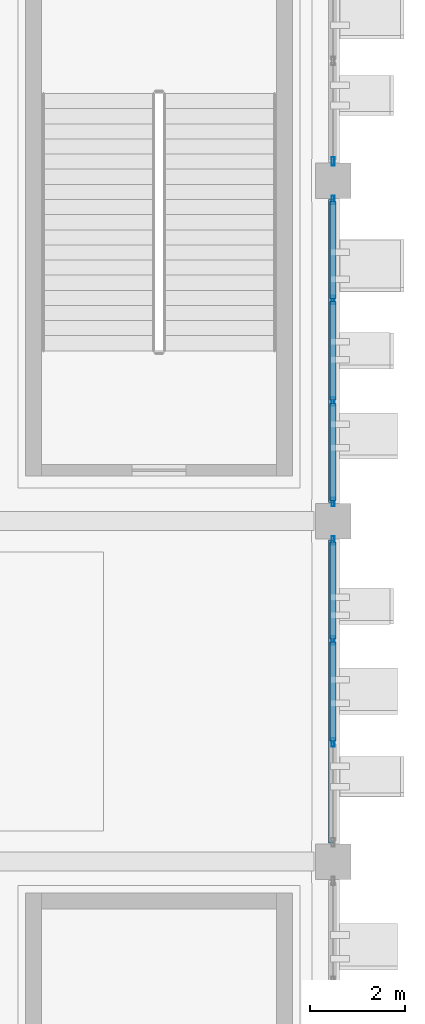
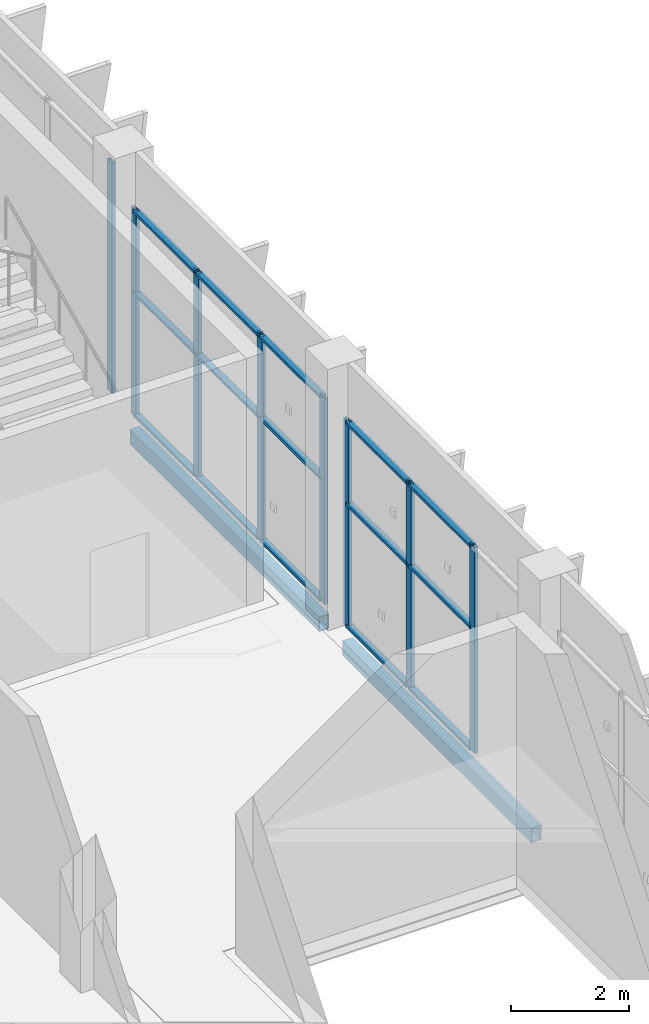
# One storey, part 65 of 189: 23 members, 2 beams, 3 elements without a shape of their own.
"""IFC4 building model written with IfcOpenShell, lengths in metres."""

from ifc_helpers import new_model, si_unit, direction, frame, origin, origin_2d, place, context, subcontext, project, spatial, hollow_rectangle, extrude, material, layer, layer_set, material_profile, profile_set, type_object, element, aggregate, save


model = new_model("IFC4")

# Units and contexts
model_context = context("Model", 3, precision=1e-05, world=origin(), true_north=direction((0.0, 1.0)))
body_context = subcontext(model_context, "Body", "Model", "MODEL_VIEW")
ifc_project = project(units=[si_unit("LENGTHUNIT", "METRE"), si_unit("AREAUNIT", "SQUARE_METRE"), si_unit("VOLUMEUNIT", "CUBIC_METRE"), si_unit("PLANEANGLEUNIT", "RADIAN"), si_unit("MASSUNIT", "GRAM", prefix="KILO")], contexts=[model_context])

# Site, building, storey
site_placement = place(None, origin())
site = spatial("IfcSite", under=ifc_project, at=site_placement, CompositionType="ELEMENT")
building_placement = place(site_placement, origin())
building = spatial("IfcBuilding", under=site, at=building_placement, Name="Celestram Park Convention Centre", CompositionType="ELEMENT")
storey_placement = place(building_placement, frame((0.0, 0.0, 5.39990234375)))
storey = spatial("IfcBuildingStorey", under=building, at=storey_placement, Name="L01", CompositionType="ELEMENT", Elevation=5.39990234375)

# Curtain wall, member
ifc_material_1 = material(Name="Anodised Aluminium Alloy 6063-T6", Category="aluminium")
ifc_layer_1 = layer(ifc_material_1, 0.179931640625)
ifc_layer_set_1 = layer_set([ifc_layer_1], Name="Anodised Aluminium Alloy 6063-T6")
curtain_wall_type_1 = type_object("IfcCurtainWallType", Name="ARC-CW-645X476", PredefinedType="NOTDEFINED", material=ifc_layer_set_1)
curtain_wall_1_placement = place(storey_placement, origin())
curtain_wall_1 = element("IfcCurtainWall", 1, at=curtain_wall_1_placement, inside=storey, type_object=curtain_wall_type_1, Name="Unitised curtain wall CU-L01-101", PredefinedType="NOTDEFINED")
ifc_material_profile_1 = material_profile(ifc_material_1, hollow_rectangle(XDim=0.06494140625, YDim=0.179931640625, WallThickness=0.00390625, at=origin_2d()), Name="ALU65X180X4")
ifc_profile_set_1 = profile_set([ifc_material_profile_1], Name="Anodised Aluminium Alloy 6063-T6")
member_type_1 = type_object("IfcMemberType", Name="ARC-CWM-150", PredefinedType="MULLION", material=ifc_profile_set_1)
member_1_placement = place(storey_placement, frame((216.0, 29.20556640625, 0.0), z_axis=(0.0, 0.0, 1.0), x_axis=(1.0, 0.0, 0.0)))
member_1 = element("IfcMember", 2, at=member_1_placement, type_object=member_type_1, Name="CW-64X47 mullion 4", PredefinedType="MULLION", context=body_context, shape_type="SweptSolid", body=[
    extrude(hollow_rectangle(XDim=0.06494140625, YDim=0.179931640625, WallThickness=0.00390625, at=origin_2d()), origin(), (0.0, 0.0, 1.0), 4.76416015625),
])
aggregate(curtain_wall_1, [member_1])

# Curtain wall, members
ifc_layer_2 = layer(ifc_material_1, 0.179931640625)
ifc_layer_set_2 = layer_set([ifc_layer_2], Name="Anodised Aluminium Alloy 6063-T6")
curtain_wall_type_2 = type_object("IfcCurtainWallType", Name="ARC-CW-645X426", PredefinedType="NOTDEFINED", material=ifc_layer_set_2)
curtain_wall_2_placement = place(storey_placement, origin())
curtain_wall_2 = element("IfcCurtainWall", 3, at=curtain_wall_2_placement, inside=storey, type_object=curtain_wall_type_2, Name="Unitised curtain wall CU-L01-102", PredefinedType="NOTDEFINED")
member_2_placement = place(storey_placement, frame((216.0, 28.39453125, 0.0), z_axis=(0.0, 0.0, 1.0), x_axis=(1.0, 0.0, 0.0)))
member_2 = element("IfcMember", 4, at=member_2_placement, type_object=member_type_1, Name="CW-64X42 mullion 1", PredefinedType="MULLION", context=body_context, shape_type="SweptSolid", body=[
    extrude(hollow_rectangle(XDim=0.06494140625, YDim=0.179931640625, WallThickness=0.00390625, at=origin_2d()), origin(), (0.0, 0.0, 1.0), 4.26416015625),
])
member_3_placement = place(storey_placement, frame((216.0, 26.275634765625, 0.0), z_axis=(0.0, 0.0, 1.0), x_axis=(1.0, 0.0, 0.0)))
member_3 = element("IfcMember", 5, at=member_3_placement, type_object=member_type_1, Name="CW-64X42 mullion 2", PredefinedType="MULLION", context=body_context, shape_type="SweptSolid", body=[
    extrude(hollow_rectangle(XDim=0.06494140625, YDim=0.179931640625, WallThickness=0.00390625, at=origin_2d()), origin(), (0.0, 0.0, 1.0), 4.26416015625),
])
member_4_placement = place(storey_placement, frame((216.0, 24.124267578125, 0.0), z_axis=(0.0, 0.0, 1.0), x_axis=(1.0, 0.0, 0.0)))
member_4 = element("IfcMember", 6, at=member_4_placement, type_object=member_type_1, Name="CW-64X42 mullion 3", PredefinedType="MULLION", context=body_context, shape_type="SweptSolid", body=[
    extrude(hollow_rectangle(XDim=0.06494140625, YDim=0.179931640625, WallThickness=0.00390625, at=origin_2d()), origin(), (0.0, 0.0, 1.0), 4.26416015625),
])
member_5_placement = place(storey_placement, frame((216.0, 22.005615234375, 0.0), z_axis=(0.0, 0.0, 1.0), x_axis=(1.0, 0.0, 0.0)))
member_5 = element("IfcMember", 7, at=member_5_placement, type_object=member_type_1, Name="CW-64X42 mullion 4", PredefinedType="MULLION", context=body_context, shape_type="SweptSolid", body=[
    extrude(hollow_rectangle(XDim=0.06494140625, YDim=0.179931640625, WallThickness=0.00390625, at=origin_2d()), origin(), (0.0, 0.0, 1.0), 4.26416015625),
])

curtain_wall_3_placement = place(storey_placement, origin())
curtain_wall_3 = element("IfcCurtainWall", 8, at=curtain_wall_3_placement, inside=storey, type_object=curtain_wall_type_2, Name="Unitised curtain wall CU-L01-103", PredefinedType="NOTDEFINED")
member_6_placement = place(storey_placement, frame((216.0, 21.194580078125, 0.0), z_axis=(0.0, 0.0, 1.0), x_axis=(1.0, 0.0, 0.0)))
member_6 = element("IfcMember", 9, at=member_6_placement, type_object=member_type_1, Name="CW-64X42 mullion 1", PredefinedType="MULLION", context=body_context, shape_type="SweptSolid", body=[
    extrude(hollow_rectangle(XDim=0.06494140625, YDim=0.179931640625, WallThickness=0.00390625, at=origin_2d()), origin(), (0.0, 0.0, 1.0), 4.26416015625),
])
member_7_placement = place(storey_placement, frame((216.0, 19.07568359375, 0.0), z_axis=(0.0, 0.0, 1.0), x_axis=(1.0, 0.0, 0.0)))
member_7 = element("IfcMember", 10, at=member_7_placement, type_object=member_type_1, Name="CW-64X42 mullion 2", PredefinedType="MULLION", context=body_context, shape_type="SweptSolid", body=[
    extrude(hollow_rectangle(XDim=0.06494140625, YDim=0.179931640625, WallThickness=0.00390625, at=origin_2d()), origin(), (0.0, 0.0, 1.0), 4.26416015625),
])
member_8_placement = place(storey_placement, frame((216.0, 16.92431640625, 0.0), z_axis=(0.0, 0.0, 1.0), x_axis=(1.0, 0.0, 0.0)))
member_8 = element("IfcMember", 11, at=member_8_placement, type_object=member_type_1, Name="CW-64X42 mullion 3", PredefinedType="MULLION", context=body_context, shape_type="SweptSolid", body=[
    extrude(hollow_rectangle(XDim=0.06494140625, YDim=0.179931640625, WallThickness=0.00390625, at=origin_2d()), origin(), (0.0, 0.0, 1.0), 4.26416015625),
])

# Member
ifc_material_profile_2 = material_profile(ifc_material_1, hollow_rectangle(XDim=0.1201171875, YDim=0.06005859375, WallThickness=0.0029296875, at=origin_2d()), Name="ALU120X60X3")
ifc_profile_set_2 = profile_set([ifc_material_profile_2], Name="Anodised Aluminium Alloy 6063-T6")
member_type_2 = type_object("IfcMemberType", Name="ARC-CWT-120", PredefinedType="USERDEFINED", material=ifc_profile_set_2)
member_9_placement = place(storey_placement, frame((216.0, 28.362060546875, 0.030029296875), z_axis=(0.0, -1.0, 0.0), x_axis=(1.0, 0.0, 0.0)))
member_9 = element("IfcMember", 12, at=member_9_placement, type_object=member_type_2, Name="CW-64X42 transom 1.1", ObjectType="TRANSOM", PredefinedType="USERDEFINED", context=body_context, shape_type="SweptSolid", body=[
    extrude(hollow_rectangle(XDim=0.1201171875, YDim=0.06005859375, WallThickness=0.0029296875, at=origin_2d()), origin(), (0.0, 0.0, 1.0), 2.053955078125),
])

member_10_placement = place(storey_placement, frame((216.0, 28.362060546875, 2.55810546875), z_axis=(0.0, -1.0, 0.0), x_axis=(1.0, 0.0, 0.0)))
member_10 = element("IfcMember", 13, at=member_10_placement, type_object=member_type_2, Name="CW-64X42 transom 1.2", ObjectType="TRANSOM", PredefinedType="USERDEFINED", context=body_context, shape_type="SweptSolid", body=[
    extrude(hollow_rectangle(XDim=0.1201171875, YDim=0.06005859375, WallThickness=0.0029296875, at=origin_2d()), origin(), (0.0, 0.0, 1.0), 2.053955078125),
])

member_11_placement = place(storey_placement, frame((216.0, 28.362060546875, 4.234130859375), z_axis=(0.0, -1.0, 0.0), x_axis=(1.0, 0.0, 0.0)))
member_11 = element("IfcMember", 14, at=member_11_placement, type_object=member_type_2, Name="CW-64X42 transom 1.3", ObjectType="TRANSOM", PredefinedType="USERDEFINED", context=body_context, shape_type="SweptSolid", body=[
    extrude(hollow_rectangle(XDim=0.1201171875, YDim=0.06005859375, WallThickness=0.0029296875, at=origin_2d()), origin(), (0.0, 0.0, 1.0), 2.053955078125),
])

member_12_placement = place(storey_placement, frame((216.0, 26.2431640625, 0.030029296875), z_axis=(0.0, -1.0, 0.0), x_axis=(1.0, 0.0, 0.0)))
member_12 = element("IfcMember", 15, at=member_12_placement, type_object=member_type_2, Name="CW-64X42 transom 2.1", ObjectType="TRANSOM", PredefinedType="USERDEFINED", context=body_context, shape_type="SweptSolid", body=[
    extrude(hollow_rectangle(XDim=0.1201171875, YDim=0.06005859375, WallThickness=0.0029296875, at=origin_2d()), origin(), (0.0, 0.0, 1.0), 2.08642578125),
])

member_13_placement = place(storey_placement, frame((216.0, 26.2431640625, 2.55810546875), z_axis=(0.0, -1.0, 0.0), x_axis=(1.0, 0.0, 0.0)))
member_13 = element("IfcMember", 16, at=member_13_placement, type_object=member_type_2, Name="CW-64X42 transom 2.2", ObjectType="TRANSOM", PredefinedType="USERDEFINED", context=body_context, shape_type="SweptSolid", body=[
    extrude(hollow_rectangle(XDim=0.1201171875, YDim=0.06005859375, WallThickness=0.0029296875, at=origin_2d()), origin(), (0.0, 0.0, 1.0), 2.08642578125),
])

member_14_placement = place(storey_placement, frame((216.0, 26.2431640625, 4.234130859375), z_axis=(0.0, -1.0, 0.0), x_axis=(1.0, 0.0, 0.0)))
member_14 = element("IfcMember", 17, at=member_14_placement, type_object=member_type_2, Name="CW-64X42 transom 2.3", ObjectType="TRANSOM", PredefinedType="USERDEFINED", context=body_context, shape_type="SweptSolid", body=[
    extrude(hollow_rectangle(XDim=0.1201171875, YDim=0.06005859375, WallThickness=0.0029296875, at=origin_2d()), origin(), (0.0, 0.0, 1.0), 2.08642578125),
])

member_15_placement = place(storey_placement, frame((216.0, 24.091796875, 0.030029296875), z_axis=(0.0, -1.0, 0.0), x_axis=(1.0, 0.0, 0.0)))
member_15 = element("IfcMember", 18, at=member_15_placement, type_object=member_type_2, Name="CW-64X42 transom 3.1", ObjectType="TRANSOM", PredefinedType="USERDEFINED", context=body_context, shape_type="SweptSolid", body=[
    extrude(hollow_rectangle(XDim=0.1201171875, YDim=0.06005859375, WallThickness=0.0029296875, at=origin_2d()), origin(), (0.0, 0.0, 1.0), 2.0537109375),
])

member_16_placement = place(storey_placement, frame((216.0, 24.091796875, 2.55810546875), z_axis=(0.0, -1.0, 0.0), x_axis=(1.0, 0.0, 0.0)))
member_16 = element("IfcMember", 19, at=member_16_placement, type_object=member_type_2, Name="CW-64X42 transom 3.2", ObjectType="TRANSOM", PredefinedType="USERDEFINED", context=body_context, shape_type="SweptSolid", body=[
    extrude(hollow_rectangle(XDim=0.1201171875, YDim=0.06005859375, WallThickness=0.0029296875, at=origin_2d()), origin(), (0.0, 0.0, 1.0), 2.0537109375),
])

member_17_placement = place(storey_placement, frame((216.0, 24.091796875, 4.234130859375), z_axis=(0.0, -1.0, 0.0), x_axis=(1.0, 0.0, 0.0)))
member_17 = element("IfcMember", 20, at=member_17_placement, type_object=member_type_2, Name="CW-64X42 transom 3.3", ObjectType="TRANSOM", PredefinedType="USERDEFINED", context=body_context, shape_type="SweptSolid", body=[
    extrude(hollow_rectangle(XDim=0.1201171875, YDim=0.06005859375, WallThickness=0.0029296875, at=origin_2d()), origin(), (0.0, 0.0, 1.0), 2.0537109375),
])

aggregate(curtain_wall_2, [member_2, member_3, member_4, member_5, member_9, member_10, member_11, member_12, member_13, member_14, member_15, member_16, member_17])

member_18_placement = place(storey_placement, frame((216.0, 21.162109375, 0.030029296875), z_axis=(0.0, -1.0, 0.0), x_axis=(1.0, 0.0, 0.0)))
member_18 = element("IfcMember", 21, at=member_18_placement, type_object=member_type_2, Name="CW-64X42 transom 1.1", ObjectType="TRANSOM", PredefinedType="USERDEFINED", context=body_context, shape_type="SweptSolid", body=[
    extrude(hollow_rectangle(XDim=0.1201171875, YDim=0.06005859375, WallThickness=0.0029296875, at=origin_2d()), origin(), (0.0, 0.0, 1.0), 2.053955078125),
])

member_19_placement = place(storey_placement, frame((216.0, 21.162109375, 2.55810546875), z_axis=(0.0, -1.0, 0.0), x_axis=(1.0, 0.0, 0.0)))
member_19 = element("IfcMember", 22, at=member_19_placement, type_object=member_type_2, Name="CW-64X42 transom 1.2", ObjectType="TRANSOM", PredefinedType="USERDEFINED", context=body_context, shape_type="SweptSolid", body=[
    extrude(hollow_rectangle(XDim=0.1201171875, YDim=0.06005859375, WallThickness=0.0029296875, at=origin_2d()), origin(), (0.0, 0.0, 1.0), 2.053955078125),
])

member_20_placement = place(storey_placement, frame((216.0, 21.162109375, 4.234130859375), z_axis=(0.0, -1.0, 0.0), x_axis=(1.0, 0.0, 0.0)))
member_20 = element("IfcMember", 23, at=member_20_placement, type_object=member_type_2, Name="CW-64X42 transom 1.3", ObjectType="TRANSOM", PredefinedType="USERDEFINED", context=body_context, shape_type="SweptSolid", body=[
    extrude(hollow_rectangle(XDim=0.1201171875, YDim=0.06005859375, WallThickness=0.0029296875, at=origin_2d()), origin(), (0.0, 0.0, 1.0), 2.053955078125),
])

member_21_placement = place(storey_placement, frame((216.0, 19.043212890625, 0.030029296875), z_axis=(0.0, -1.0, 0.0), x_axis=(1.0, 0.0, 0.0)))
member_21 = element("IfcMember", 24, at=member_21_placement, type_object=member_type_2, Name="CW-64X42 transom 2.1", ObjectType="TRANSOM", PredefinedType="USERDEFINED", context=body_context, shape_type="SweptSolid", body=[
    extrude(hollow_rectangle(XDim=0.1201171875, YDim=0.06005859375, WallThickness=0.0029296875, at=origin_2d()), origin(), (0.0, 0.0, 1.0), 2.08642578125),
])

member_22_placement = place(storey_placement, frame((216.0, 19.043212890625, 2.55810546875), z_axis=(0.0, -1.0, 0.0), x_axis=(1.0, 0.0, 0.0)))
member_22 = element("IfcMember", 25, at=member_22_placement, type_object=member_type_2, Name="CW-64X42 transom 2.2", ObjectType="TRANSOM", PredefinedType="USERDEFINED", context=body_context, shape_type="SweptSolid", body=[
    extrude(hollow_rectangle(XDim=0.1201171875, YDim=0.06005859375, WallThickness=0.0029296875, at=origin_2d()), origin(), (0.0, 0.0, 1.0), 2.08642578125),
])

member_23_placement = place(storey_placement, frame((216.0, 19.043212890625, 4.234130859375), z_axis=(0.0, -1.0, 0.0), x_axis=(1.0, 0.0, 0.0)))
member_23 = element("IfcMember", 26, at=member_23_placement, type_object=member_type_2, Name="CW-64X42 transom 2.3", ObjectType="TRANSOM", PredefinedType="USERDEFINED", context=body_context, shape_type="SweptSolid", body=[
    extrude(hollow_rectangle(XDim=0.1201171875, YDim=0.06005859375, WallThickness=0.0029296875, at=origin_2d()), origin(), (0.0, 0.0, 1.0), 2.08642578125),
])

aggregate(curtain_wall_3, [member_6, member_7, member_8, member_18, member_19, member_20, member_21, member_22, member_23])

# Beams
ifc_material_2 = material(Name="Steel ASTM A500 Grade C", Category="steel")
ifc_material_profile_3 = material_profile(ifc_material_2, hollow_rectangle(XDim=0.199951171875, YDim=0.300048828125, WallThickness=0.011962890625, at=origin_2d()), Name="HSS300X200X12")
ifc_profile_set_3 = profile_set([ifc_material_profile_3], Name="Steel ASTM A500 Grade C")
beam_type = type_object("IfcBeamType", Name="STR-SPN-HSS300X200", PredefinedType="SPANDREL", material=ifc_profile_set_3)
beam_1_placement = place(storey_placement, frame((216.0, 14.798095703125, -0.429931640625), z_axis=(0.0, 1.0, 0.0), x_axis=(-1.0, 0.0, 0.0)))
element("IfcBeam", 27, at=beam_1_placement, inside=storey, type_object=beam_type, Name="Primary Y-girder BG-L01-0535", PredefinedType="SPANDREL", context=body_context, shape_type="SweptSolid", body=[
    extrude(hollow_rectangle(XDim=0.199951171875, YDim=0.300048828125, WallThickness=0.011962890625, at=origin_2d()), origin(), (0.0, 0.0, 1.0), 6.40380859375),
])
beam_2_placement = place(storey_placement, frame((216.0, 21.998046875, -0.429931640625), z_axis=(0.0, 1.0, 0.0), x_axis=(-1.0, 0.0, 0.0)))
element("IfcBeam", 28, at=beam_2_placement, inside=storey, type_object=beam_type, Name="Primary Y-girder BG-L01-0536", PredefinedType="SPANDREL", context=body_context, shape_type="SweptSolid", body=[
    extrude(hollow_rectangle(XDim=0.199951171875, YDim=0.300048828125, WallThickness=0.011962890625, at=origin_2d()), origin(), (0.0, 0.0, 1.0), 6.404052734375),
])

save(model, "model.ifc")
